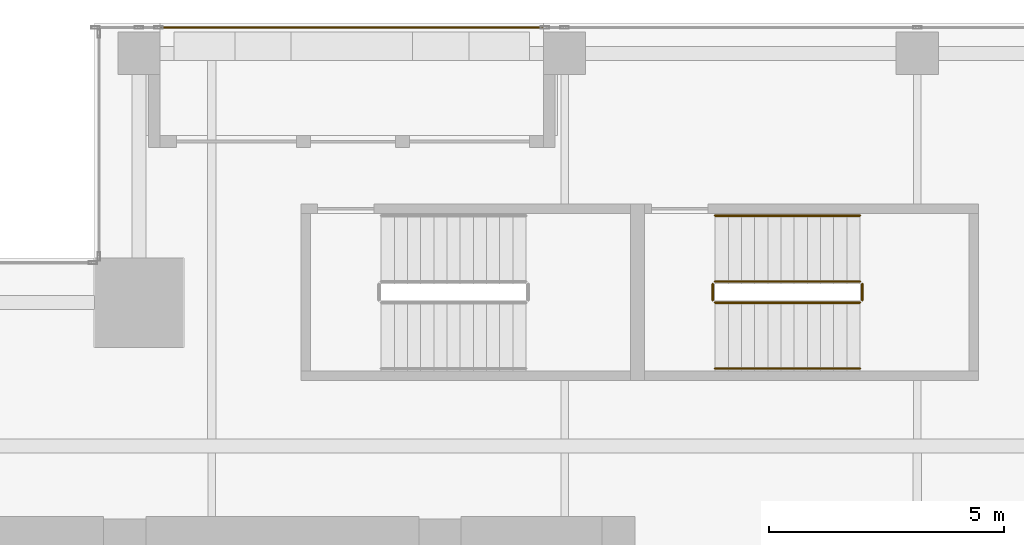
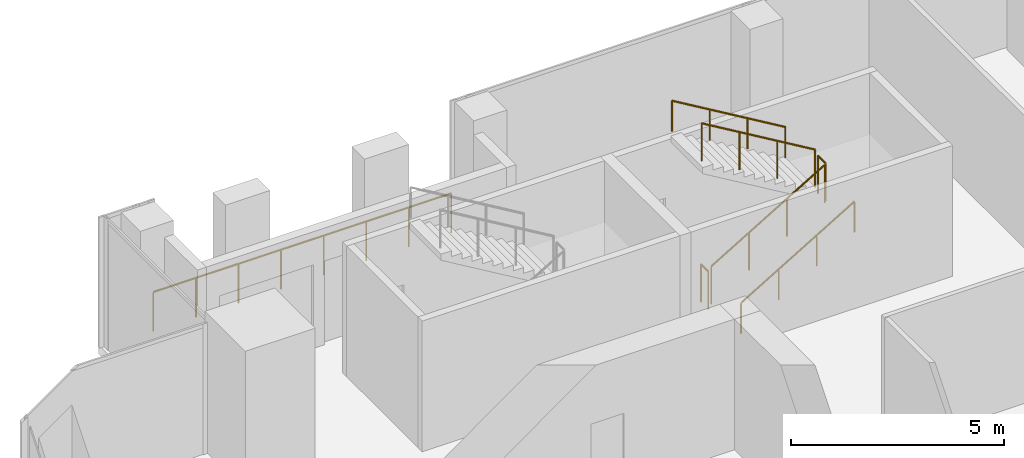
# One storey, part 35 of 36: 7 railings.
"""IFC4 building model written with IfcOpenShell, lengths in metres."""

from ifc_helpers import new_model, si_unit, direction, frame, origin, origin_2d, place, context, subcontext, project, spatial, circle, extrude, source, transform, mapped, material, type_object, element, save


model = new_model("IFC4")

# Units and contexts
model_context = context("Model", 3, precision=1e-05, world=origin(), true_north=direction((0.0, 1.0)))
body_context = subcontext(model_context, "Body", "Model", "MODEL_VIEW")
ifc_project = project(units=[si_unit("LENGTHUNIT", "METRE"), si_unit("AREAUNIT", "SQUARE_METRE"), si_unit("VOLUMEUNIT", "CUBIC_METRE"), si_unit("PLANEANGLEUNIT", "RADIAN"), si_unit("MASSUNIT", "GRAM", prefix="KILO")], contexts=[model_context])

# Site, building, storey
site_placement = place(None, origin())
site = spatial("IfcSite", under=ifc_project, at=site_placement, CompositionType="ELEMENT")
building_placement = place(site_placement, origin())
building = spatial("IfcBuilding", under=site, at=building_placement, Name="Khomas Fold Tower", CompositionType="ELEMENT")
storey_placement = place(building_placement, frame((0.0, 0.0, 226.199951171875)))
storey = spatial("IfcBuildingStorey", under=building, at=storey_placement, Name="L50", CompositionType="ELEMENT", Elevation=226.199951171875)

# Railings
ifc_material_1 = material(Name="Powder-coated steel", Category="steel")
railing_type_1 = type_object("IfcRailingType", Name="Balcony guard", PredefinedType="GUARDRAIL", material=ifc_material_1)
shared_shape_1 = source(origin(), body_context, "Body", "SweptSolid", [
    extrude(circle(Radius=0.02490234375, at=origin_2d()), frame((0.0, 0.0, 1.125), z_axis=(1.0, 0.0, 0.0), x_axis=(0.0, 1.0, 0.0)), (0.0, 0.0, 1.0), 8.090087890625),
    extrude(circle(Radius=0.02001953125, at=origin_2d()), origin(), (0.0, 0.0, 1.0), 1.099853515625),
    extrude(circle(Radius=0.02001953125, at=origin_2d()), frame((1.15576171875, 0.0, 0.0)), (0.0, 0.0, 1.0), 1.099853515625),
    extrude(circle(Radius=0.02001953125, at=origin_2d()), frame((2.3115234375, 0.0, 0.0)), (0.0, 0.0, 1.0), 1.099853515625),
    extrude(circle(Radius=0.02001953125, at=origin_2d()), frame((3.46728515625, 0.0, 0.0)), (0.0, 0.0, 1.0), 1.099853515625),
    extrude(circle(Radius=0.02001953125, at=origin_2d()), frame((4.622802734375, 0.0, 0.0)), (0.0, 0.0, 1.0), 1.099853515625),
    extrude(circle(Radius=0.02001953125, at=origin_2d()), frame((5.778564453125, 0.0, 0.0)), (0.0, 0.0, 1.0), 1.099853515625),
    extrude(circle(Radius=0.02001953125, at=origin_2d()), frame((6.934326171875, 0.0, 0.0)), (0.0, 0.0, 1.0), 1.099853515625),
    extrude(circle(Radius=0.02001953125, at=origin_2d()), frame((8.090087890625, 0.0, 0.0)), (0.0, 0.0, 1.0), 1.099853515625),
])
railing_1_placement = place(storey_placement, frame((10.929931640625, 49.39990234375, -0.044921875)))
element("IfcRailing", 1, at=railing_1_placement, inside=storey, type_object=railing_type_1, Name="Balcony guard BAL-L50-N1", PredefinedType="GUARDRAIL", context=body_context, shape_type="MappedRepresentation", body=[
    mapped(shared_shape_1, transform((0.0, 0.0, 0.0))),
])
ifc_material_2 = material(Name="Steel balustrade", Category="steel")
railing_type_2 = type_object("IfcRailingType", Name="Stair guard", PredefinedType="GUARDRAIL", material=ifc_material_2)
shared_shape_2 = source(origin(), body_context, "Body", "SweptSolid", [
    extrude(circle(Radius=0.02392578125, at=origin_2d()), frame((0.0, 0.0, 1.076171875), z_axis=(0.0, 1.0, 0.0), x_axis=(-1.0, 0.0, 0.0)), (0.0, 0.0, 1.0), 0.349853515625),
    extrude(circle(Radius=0.02099609375, at=origin_2d()), origin(), (0.0, 0.0, 1.0), 1.052001953125),
    extrude(circle(Radius=0.02099609375, at=origin_2d()), frame((0.0, 0.349853515625, 0.0)), (0.0, 0.0, 1.0), 1.052001953125),
])
for number, where, name in (
    (2, (25.830078125, 43.60009765625, 2.0), "L50 ST3 stair guard 2"),
    (3, (22.64990234375, 43.60009765625, 0.0), "L50 ST3 stair guard 4"),
):
    element("IfcRailing", number, at=place(storey_placement, frame(where)), inside=storey, type_object=railing_type_2, Name=name, PredefinedType="GUARDRAIL", context=body_context, shape_type="MappedRepresentation", body=[
        mapped(shared_shape_2, transform((0.0, 0.0, 0.0))),
    ])
shared_shape_3 = source(origin(), body_context, "Body", "SweptSolid", [
    extrude(circle(Radius=0.02392578125, at=origin_2d()), frame((0.0, 0.0, 1.076171875), z_axis=(0.859308565015, 0.0, 0.511457515432), x_axis=(0.0, 1.0, 0.0)), (0.0, 0.0, 1.0), 3.58447265625),
    extrude(circle(Radius=0.02099609375, at=origin_2d()), origin(), (0.0, 0.0, 1.0), 1.052001953125),
    extrude(circle(Radius=0.02099609375, at=origin_2d()), frame((1.026611328125, 0.0, 0.611083984375)), (0.0, 0.0, 1.0), 1.052001953125),
    extrude(circle(Radius=0.02099609375, at=origin_2d()), frame((2.053466796875, 0.0, 1.22216796875)), (0.0, 0.0, 1.0), 1.052001953125),
    extrude(circle(Radius=0.02099609375, at=origin_2d()), frame((3.080078125, 0.0, 1.833251953125)), (0.0, 0.0, 1.0), 1.052001953125),
])
railing_2_placement = place(storey_placement, frame((22.699951171875, 43.550048828125, 0.166748046875)))
element("IfcRailing", 4, at=railing_2_placement, inside=storey, type_object=railing_type_2, Name="L50 ST3 stair guard 1", PredefinedType="GUARDRAIL", context=body_context, shape_type="MappedRepresentation", body=[
    mapped(shared_shape_3, transform((0.0, 0.0, 0.0))),
])
shared_shape_4 = source(origin(), body_context, "Body", "SweptSolid", [
    extrude(circle(Radius=0.02392578125, at=origin_2d()), frame((0.0, 0.0, 1.076171875), z_axis=(-0.859308565015, 0.0, 0.511457515432), x_axis=(0.0, -1.0, 0.0)), (0.0, 0.0, 1.0), 3.58447265625),
    extrude(circle(Radius=0.02099609375, at=origin_2d()), origin(), (0.0, 0.0, 1.0), 1.052001953125),
    extrude(circle(Radius=0.02099609375, at=origin_2d()), frame((-1.026611328125, 0.0, 0.611083984375)), (0.0, 0.0, 1.0), 1.052001953125),
    extrude(circle(Radius=0.02099609375, at=origin_2d()), frame((-2.053466796875, 0.0, 1.22216796875)), (0.0, 0.0, 1.0), 1.052001953125),
    extrude(circle(Radius=0.02099609375, at=origin_2d()), frame((-3.080078125, 0.0, 1.833251953125)), (0.0, 0.0, 1.0), 1.052001953125),
])
railing_3_placement = place(storey_placement, frame((25.780029296875, 44.0, 2.166748046875)))
element("IfcRailing", 5, at=railing_3_placement, inside=storey, type_object=railing_type_2, Name="L50 ST3 stair guard 3", PredefinedType="GUARDRAIL", context=body_context, shape_type="MappedRepresentation", body=[
    mapped(shared_shape_4, transform((0.0, 0.0, 0.0))),
])
ifc_material_3 = material(Name="Steel handrail", Category="steel")
railing_type_3 = type_object("IfcRailingType", Name="Stair handrail", PredefinedType="HANDRAIL", material=ifc_material_3)
shared_shape_5 = source(origin(), body_context, "Body", "SweptSolid", [
    extrude(circle(Radius=0.02392578125, at=origin_2d()), frame((0.0, 0.0, 0.8759765625), z_axis=(0.859308565015, 0.0, 0.511457515432), x_axis=(0.0, 1.0, 0.0)), (0.0, 0.0, 1.0), 3.58447265625),
    extrude(circle(Radius=0.02099609375, at=origin_2d()), origin(), (0.0, 0.0, 1.0), 0.851806640625),
    extrude(circle(Radius=0.02099609375, at=origin_2d()), frame((1.026611328125, 0.0, 0.611083984375)), (0.0, 0.0, 1.0), 0.851806640625),
    extrude(circle(Radius=0.02099609375, at=origin_2d()), frame((2.053466796875, 0.0, 1.22216796875)), (0.0, 0.0, 1.0), 0.851806640625),
    extrude(circle(Radius=0.02099609375, at=origin_2d()), frame((3.080078125, 0.0, 1.833251953125)), (0.0, 0.0, 1.0), 0.851806640625),
])
railing_4_placement = place(storey_placement, frame((22.699951171875, 42.14990234375, 0.166748046875)))
element("IfcRailing", 6, at=railing_4_placement, inside=storey, type_object=railing_type_3, Name="L50 ST3 stair handrail 1", PredefinedType="HANDRAIL", context=body_context, shape_type="MappedRepresentation", body=[
    mapped(shared_shape_5, transform((0.0, 0.0, 0.0))),
])
shared_shape_6 = source(origin(), body_context, "Body", "SweptSolid", [
    extrude(circle(Radius=0.02392578125, at=origin_2d()), frame((0.0, 0.0, 0.8759765625), z_axis=(-0.859308565015, 0.0, 0.511457515432), x_axis=(0.0, -1.0, 0.0)), (0.0, 0.0, 1.0), 3.58447265625),
    extrude(circle(Radius=0.02099609375, at=origin_2d()), origin(), (0.0, 0.0, 1.0), 0.851806640625),
    extrude(circle(Radius=0.02099609375, at=origin_2d()), frame((-1.026611328125, 0.0, 0.611083984375)), (0.0, 0.0, 1.0), 0.851806640625),
    extrude(circle(Radius=0.02099609375, at=origin_2d()), frame((-2.053466796875, 0.0, 1.22216796875)), (0.0, 0.0, 1.0), 0.851806640625),
    extrude(circle(Radius=0.02099609375, at=origin_2d()), frame((-3.080078125, 0.0, 1.833251953125)), (0.0, 0.0, 1.0), 0.851806640625),
])
railing_5_placement = place(storey_placement, frame((25.780029296875, 45.39990234375, 2.166748046875)))
element("IfcRailing", 7, at=railing_5_placement, inside=storey, type_object=railing_type_3, Name="L50 ST3 stair handrail 2", PredefinedType="HANDRAIL", context=body_context, shape_type="MappedRepresentation", body=[
    mapped(shared_shape_6, transform((0.0, 0.0, 0.0))),
])

save(model, "model.ifc")
